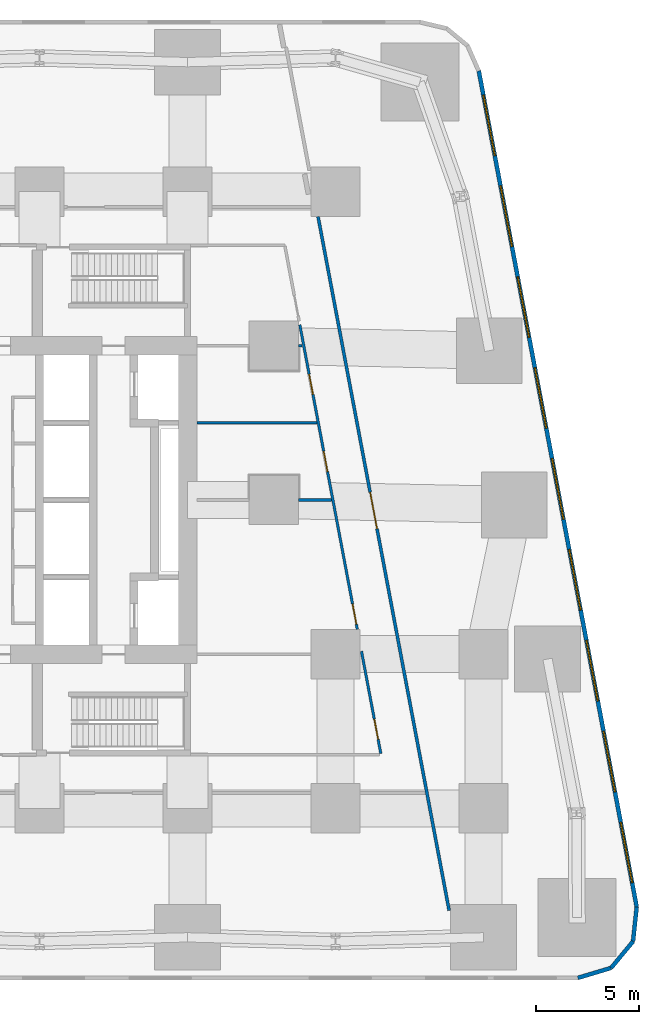
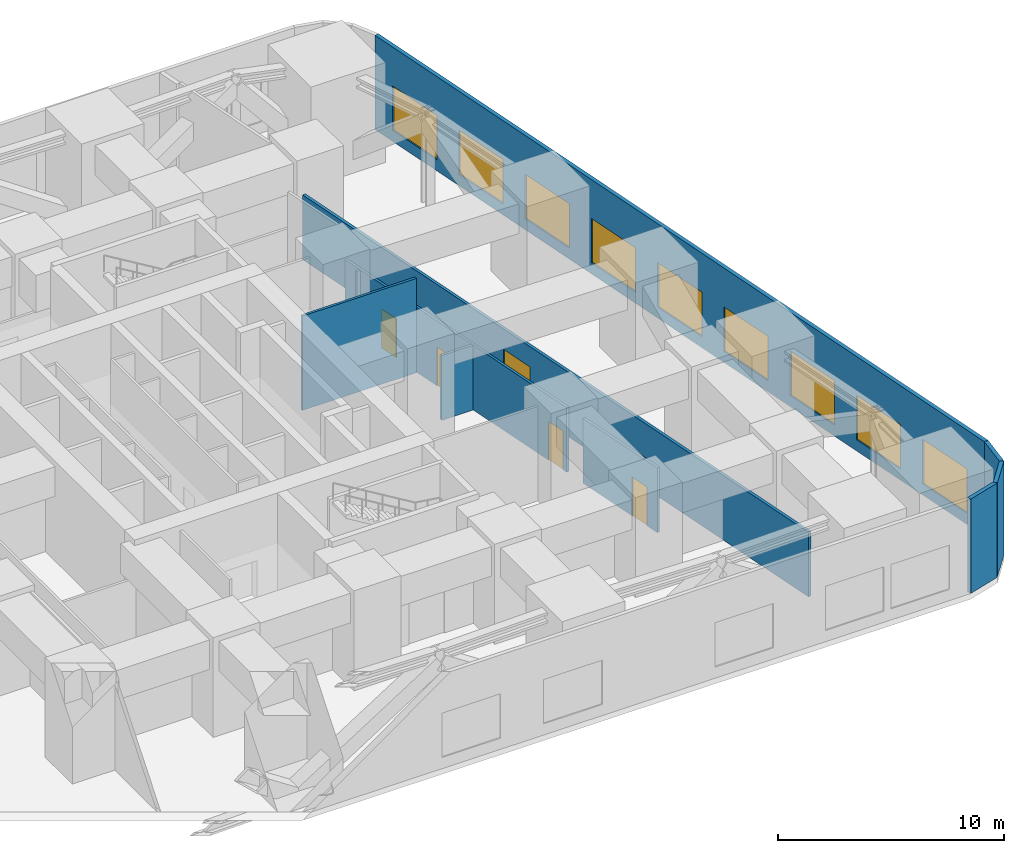
# One storey, part 5 of 8: 10 walls, 9 windows, 5 doors, 14 openings.
"""IFC4 building model written with IfcOpenShell, lengths in metres."""

from ifc_helpers import new_model, si_unit, direction, frame, frame_2d, origin, place, context, subcontext, project, spatial, rectangle, extrude, material, layer, layer_set, type_object, element, fill, save


model = new_model("IFC4")

# Units and contexts
model_context = context("Model", 3, precision=1e-05, world=origin(), true_north=direction((0.0, 1.0)))
body_context = subcontext(model_context, "Body", "Model", "MODEL_VIEW")
ifc_project = project(units=[si_unit("LENGTHUNIT", "METRE"), si_unit("AREAUNIT", "SQUARE_METRE"), si_unit("VOLUMEUNIT", "CUBIC_METRE"), si_unit("PLANEANGLEUNIT", "RADIAN"), si_unit("MASSUNIT", "GRAM", prefix="KILO")], contexts=[model_context])

# Site, building, storey
site_placement = place(None, origin())
site = spatial("IfcSite", under=ifc_project, at=site_placement, CompositionType="ELEMENT")
building_placement = place(site_placement, origin())
building = spatial("IfcBuilding", under=site, at=building_placement, Name="Sheger Commons Tower", CompositionType="ELEMENT")
storey_placement = place(building_placement, frame((0.0, 0.0, 14.60009765625)))
storey = spatial("IfcBuildingStorey", under=building, at=storey_placement, Name="L03", CompositionType="ELEMENT", Elevation=14.60009765625)

# Wall, opening, door
ifc_material_1 = material(Name="Hollow concrete block masonry, skimmed both sides", Category="masonry")
ifc_layer_1 = layer(ifc_material_1, 0.14990234375)
ifc_layer_set_1 = layer_set([ifc_layer_1], Name="CORRIDOR WALL 150")
wall_type_1 = type_object("IfcWallType", Name="CORRIDOR WALL 150", PredefinedType="SOLIDWALL", material=ifc_layer_set_1)
wall_1_placement = place(storey_placement, frame((35.14990234375, 36.284912109375, 0.0), z_axis=(0.0, 0.0, 1.0), x_axis=(0.185613484682, -0.982622834207, 0.0)))
wall_1 = element("IfcWall", 1, at=wall_1_placement, inside=storey, type_object=wall_type_1, Name="Corridor wall L03", PredefinedType="SOLIDWALL", context=body_context, shape_type="SweptSolid", body=[
    extrude(rectangle(XDim=34.350830078125, YDim=0.14990234375, at=frame_2d((17.17529296875, 0.0))), origin(), (0.0, 0.0, 1.0), 3.5),
])
opening_1_placement = place(wall_1_placement, frame((13.652099609375, 0.0, 0.0)))
opening_1 = element("IfcOpeningElement", 2, at=opening_1_placement, cuts=wall_1, Name="Opening D7", PredefinedType="OPENING", context=body_context, shape_type="SweptSolid", body=[
    extrude(rectangle(XDim=1.800048828125, YDim=2.39990234375, at=frame_2d((0.89990234375, 1.199951171875))), frame((0.0, 0.0849609375, 0.0), z_axis=(0.0, -1.0, 0.0), x_axis=(1.0, 0.0, 0.0)), (0.0, 0.0, 1.0), 0.169921875),
])
ifc_material_2 = material(Name="Steel door set, fire rated", Category="steel")
door_type_1 = type_object("IfcDoorType", Name="PLANT DOUBLE DOOR 1800x2400", OperationType="DOUBLE_DOOR_SINGLE_SWING", PredefinedType="DOOR", material=ifc_material_2)
door_1_placement = place(opening_1_placement, origin())
door_1 = element("IfcDoor", 3, at=door_1_placement, inside=storey, type_object=door_type_1, Name="Mechanical plant room door", OperationType="DOUBLE_DOOR_SINGLE_SWING", OverallHeight=2.39990234375, OverallWidth=1.800048828125, PredefinedType="DOOR", context=body_context, shape_type="SweptSolid", body=[
    extrude(rectangle(XDim=1.800048828125, YDim=2.39990234375, at=frame_2d((0.89990234375, 1.199951171875))), frame((0.0, 0.02490234375, 0.0), z_axis=(0.0, -1.0, 0.0), x_axis=(1.0, 0.0, 0.0)), (0.0, 0.0, 1.0), 0.050048828125),
])
fill(opening_1, door_1)

# Walls
ifc_material_3 = material(Name="Rendered concrete block masonry, dark grey", Category="masonry")
ifc_layer_2 = layer(ifc_material_3, 0.199951171875)
ifc_layer_set_2 = layer_set([ifc_layer_2], Name="FACADE WALL 200")
wall_type_2 = type_object("IfcWallType", Name="FACADE WALL 200", PredefinedType="SOLIDWALL", material=ifc_layer_set_2)
wall_2_placement = place(storey_placement, frame((47.791015625, -0.75, 0.0), z_axis=(0.0, 0.0, 1.0), x_axis=(0.957455232626, 0.288581838509, 0.0)))
element("IfcWall", 4, at=wall_2_placement, inside=storey, type_object=wall_type_2, Name="Facade wall L03", PredefinedType="SOLIDWALL", context=body_context, shape_type="SweptSolid", body=[
    extrude(rectangle(XDim=1.687744140625, YDim=0.199951171875, at=frame_2d((0.84375, 0.0))), origin(), (0.0, 0.0, 1.0), 5.099853515625),
])
wall_3_placement = place(storey_placement, frame((49.406982421875, -0.262939453125, 0.0), z_axis=(0.0, 0.0, 1.0), x_axis=(0.638042593423, 0.770001070764, 0.0)))
element("IfcWall", 5, at=wall_3_placement, inside=storey, type_object=wall_type_2, Name="Facade wall L03", PredefinedType="SOLIDWALL", context=body_context, shape_type="SweptSolid", body=[
    extrude(rectangle(XDim=1.672607421875, YDim=0.199951171875, at=frame_2d((0.83642578125, 0.0))), origin(), (0.0, 0.0, 1.0), 5.099853515625),
])
wall_4_placement = place(storey_placement, frame((50.47412109375, 1.02490234375, 0.0), z_axis=(0.0, 0.0, 1.0), x_axis=(0.106047815515, 0.994361031429, 0.0)))
element("IfcWall", 6, at=wall_4_placement, inside=storey, type_object=wall_type_2, Name="Facade wall L03", PredefinedType="SOLIDWALL", context=body_context, shape_type="SweptSolid", body=[
    extrude(rectangle(XDim=1.6875, YDim=0.199951171875, at=frame_2d((0.84375, 0.0))), origin(), (0.0, 0.0, 1.0), 5.099853515625),
])

# Wall, openings, windows
wall_5_placement = place(storey_placement, frame((50.653076171875, 2.702880859375, 0.0), z_axis=(0.0, 0.0, 1.0), x_axis=(-0.185612026696, 0.982623109613, 0.0)))
wall_5 = element("IfcWall", 7, at=wall_5_placement, inside=storey, type_object=wall_type_2, Name="Facade wall L03", PredefinedType="SOLIDWALL", context=body_context, shape_type="SweptSolid", body=[
    extrude(rectangle(XDim=41.393310546875, YDim=0.199951171875, at=frame_2d((20.69677734375, 0.0))), origin(), (0.0, 0.0, 1.0), 5.099853515625),
])
opening_2_placement = place(wall_5_placement, frame((1.197021484375, 0.0, 0.60009765625)))
opening_2 = element("IfcOpeningElement", 8, at=opening_2_placement, cuts=wall_5, Name="Opening LV1", PredefinedType="OPENING", context=body_context, shape_type="SweptSolid", body=[
    extrude(rectangle(XDim=3.0, YDim=2.39990234375, at=frame_2d((1.5, 1.199951171875))), frame((0.0, 0.10986328125, 0.0), z_axis=(0.0, -1.0, 0.0), x_axis=(1.0, 0.0, 0.0)), (0.0, 0.0, 1.0), 0.219970703125),
])
opening_3_placement = place(wall_5_placement, frame((5.697021484375, 0.0, 0.60009765625)))
opening_3 = element("IfcOpeningElement", 9, at=opening_3_placement, cuts=wall_5, Name="Opening LV1", PredefinedType="OPENING", context=body_context, shape_type="SweptSolid", body=[
    extrude(rectangle(XDim=3.0, YDim=2.39990234375, at=frame_2d((1.5, 1.199951171875))), frame((0.0, 0.10986328125, 0.0), z_axis=(0.0, -1.0, 0.0), x_axis=(1.0, 0.0, 0.0)), (0.0, 0.0, 1.0), 0.219970703125),
])
opening_4_placement = place(wall_5_placement, frame((10.197021484375, 0.0, 0.60009765625)))
opening_4 = element("IfcOpeningElement", 10, at=opening_4_placement, cuts=wall_5, Name="Opening LV1", PredefinedType="OPENING", context=body_context, shape_type="SweptSolid", body=[
    extrude(rectangle(XDim=3.0, YDim=2.39990234375, at=frame_2d((1.5, 1.199951171875))), frame((0.0, 0.10986328125, 0.0), z_axis=(0.0, -1.0, 0.0), x_axis=(1.0, 0.0, 0.0)), (0.0, 0.0, 1.0), 0.219970703125),
])
opening_5_placement = place(wall_5_placement, frame((14.697021484375, 0.0, 0.60009765625)))
opening_5 = element("IfcOpeningElement", 11, at=opening_5_placement, cuts=wall_5, Name="Opening LV1", PredefinedType="OPENING", context=body_context, shape_type="SweptSolid", body=[
    extrude(rectangle(XDim=3.0, YDim=2.39990234375, at=frame_2d((1.5, 1.199951171875))), frame((0.0, 0.10986328125, 0.0), z_axis=(0.0, -1.0, 0.0), x_axis=(1.0, 0.0, 0.0)), (0.0, 0.0, 1.0), 0.219970703125),
])
opening_6_placement = place(wall_5_placement, frame((19.197021484375, 0.0, 0.60009765625)))
opening_6 = element("IfcOpeningElement", 12, at=opening_6_placement, cuts=wall_5, Name="Opening LV1", PredefinedType="OPENING", context=body_context, shape_type="SweptSolid", body=[
    extrude(rectangle(XDim=3.0, YDim=2.39990234375, at=frame_2d((1.5, 1.199951171875))), frame((0.0, 0.10986328125, 0.0), z_axis=(0.0, -1.0, 0.0), x_axis=(1.0, 0.0, 0.0)), (0.0, 0.0, 1.0), 0.219970703125),
])
opening_7_placement = place(wall_5_placement, frame((23.697021484375, 0.0, 0.60009765625)))
opening_7 = element("IfcOpeningElement", 13, at=opening_7_placement, cuts=wall_5, Name="Opening LV1", PredefinedType="OPENING", context=body_context, shape_type="SweptSolid", body=[
    extrude(rectangle(XDim=3.0, YDim=2.39990234375, at=frame_2d((1.5, 1.199951171875))), frame((0.0, 0.10986328125, 0.0), z_axis=(0.0, -1.0, 0.0), x_axis=(1.0, 0.0, 0.0)), (0.0, 0.0, 1.0), 0.219970703125),
])
opening_8_placement = place(wall_5_placement, frame((28.197021484375, 0.0, 0.60009765625)))
opening_8 = element("IfcOpeningElement", 14, at=opening_8_placement, cuts=wall_5, Name="Opening LV1", PredefinedType="OPENING", context=body_context, shape_type="SweptSolid", body=[
    extrude(rectangle(XDim=3.0, YDim=2.39990234375, at=frame_2d((1.5, 1.199951171875))), frame((0.0, 0.10986328125, 0.0), z_axis=(0.0, -1.0, 0.0), x_axis=(1.0, 0.0, 0.0)), (0.0, 0.0, 1.0), 0.219970703125),
])
opening_9_placement = place(wall_5_placement, frame((32.697021484375, 0.0, 0.60009765625)))
opening_9 = element("IfcOpeningElement", 15, at=opening_9_placement, cuts=wall_5, Name="Opening LV1", PredefinedType="OPENING", context=body_context, shape_type="SweptSolid", body=[
    extrude(rectangle(XDim=3.0, YDim=2.39990234375, at=frame_2d((1.5, 1.199951171875))), frame((0.0, 0.10986328125, 0.0), z_axis=(0.0, -1.0, 0.0), x_axis=(1.0, 0.0, 0.0)), (0.0, 0.0, 1.0), 0.219970703125),
])
opening_10_placement = place(wall_5_placement, frame((37.197021484375, 0.0, 0.60009765625)))
opening_10 = element("IfcOpeningElement", 16, at=opening_10_placement, cuts=wall_5, Name="Opening LV1", PredefinedType="OPENING", context=body_context, shape_type="SweptSolid", body=[
    extrude(rectangle(XDim=3.0, YDim=2.39990234375, at=frame_2d((1.5, 1.199951171875))), frame((0.0, 0.10986328125, 0.0), z_axis=(0.0, -1.0, 0.0), x_axis=(1.0, 0.0, 0.0)), (0.0, 0.0, 1.0), 0.219970703125),
])
ifc_material_4 = material(Name="Black aluminium louvre", Category="aluminium")
window_type = type_object("IfcWindowType", Name="LOUVRE LV1 3000x2400", PartitioningType="SINGLE_PANEL", PredefinedType="USERDEFINED", material=ifc_material_4)
window_1_placement = place(opening_2_placement, origin())
window_1 = element("IfcWindow", 17, at=window_1_placement, inside=storey, type_object=window_type, Name="Louvre Lv1 3000X2400", ObjectType="LOUVRE", OverallHeight=2.39990234375, OverallWidth=3.0, PartitioningType="SINGLE_PANEL", PredefinedType="USERDEFINED", context=body_context, shape_type="SweptSolid", body=[
    extrude(rectangle(XDim=3.0, YDim=2.39990234375, at=frame_2d((1.5, 1.199951171875))), frame((0.0, 0.030029296875, 0.0), z_axis=(0.0, -1.0, 0.0), x_axis=(1.0, 0.0, 0.0)), (0.0, 0.0, 1.0), 0.06005859375),
])
fill(opening_2, window_1)
window_2_placement = place(opening_3_placement, origin())
window_2 = element("IfcWindow", 18, at=window_2_placement, inside=storey, type_object=window_type, Name="Louvre Lv1 3000X2400", ObjectType="LOUVRE", OverallHeight=2.39990234375, OverallWidth=3.0, PartitioningType="SINGLE_PANEL", PredefinedType="USERDEFINED", context=body_context, shape_type="SweptSolid", body=[
    extrude(rectangle(XDim=3.0, YDim=2.39990234375, at=frame_2d((1.5, 1.199951171875))), frame((0.0, 0.030029296875, 0.0), z_axis=(0.0, -1.0, 0.0), x_axis=(1.0, 0.0, 0.0)), (0.0, 0.0, 1.0), 0.06005859375),
])
fill(opening_3, window_2)
window_3_placement = place(opening_4_placement, origin())
window_3 = element("IfcWindow", 19, at=window_3_placement, inside=storey, type_object=window_type, Name="Louvre Lv1 3000X2400", ObjectType="LOUVRE", OverallHeight=2.39990234375, OverallWidth=3.0, PartitioningType="SINGLE_PANEL", PredefinedType="USERDEFINED", context=body_context, shape_type="SweptSolid", body=[
    extrude(rectangle(XDim=3.0, YDim=2.39990234375, at=frame_2d((1.5, 1.199951171875))), frame((0.0, 0.030029296875, 0.0), z_axis=(0.0, -1.0, 0.0), x_axis=(1.0, 0.0, 0.0)), (0.0, 0.0, 1.0), 0.06005859375),
])
fill(opening_4, window_3)
window_4_placement = place(opening_5_placement, origin())
window_4 = element("IfcWindow", 20, at=window_4_placement, inside=storey, type_object=window_type, Name="Louvre Lv1 3000X2400", ObjectType="LOUVRE", OverallHeight=2.39990234375, OverallWidth=3.0, PartitioningType="SINGLE_PANEL", PredefinedType="USERDEFINED", context=body_context, shape_type="SweptSolid", body=[
    extrude(rectangle(XDim=3.0, YDim=2.39990234375, at=frame_2d((1.5, 1.199951171875))), frame((0.0, 0.030029296875, 0.0), z_axis=(0.0, -1.0, 0.0), x_axis=(1.0, 0.0, 0.0)), (0.0, 0.0, 1.0), 0.06005859375),
])
fill(opening_5, window_4)
window_5_placement = place(opening_6_placement, origin())
window_5 = element("IfcWindow", 21, at=window_5_placement, inside=storey, type_object=window_type, Name="Louvre Lv1 3000X2400", ObjectType="LOUVRE", OverallHeight=2.39990234375, OverallWidth=3.0, PartitioningType="SINGLE_PANEL", PredefinedType="USERDEFINED", context=body_context, shape_type="SweptSolid", body=[
    extrude(rectangle(XDim=3.0, YDim=2.39990234375, at=frame_2d((1.5, 1.199951171875))), frame((0.0, 0.030029296875, 0.0), z_axis=(0.0, -1.0, 0.0), x_axis=(1.0, 0.0, 0.0)), (0.0, 0.0, 1.0), 0.06005859375),
])
fill(opening_6, window_5)
window_6_placement = place(opening_7_placement, origin())
window_6 = element("IfcWindow", 22, at=window_6_placement, inside=storey, type_object=window_type, Name="Louvre Lv1 3000X2400", ObjectType="LOUVRE", OverallHeight=2.39990234375, OverallWidth=3.0, PartitioningType="SINGLE_PANEL", PredefinedType="USERDEFINED", context=body_context, shape_type="SweptSolid", body=[
    extrude(rectangle(XDim=3.0, YDim=2.39990234375, at=frame_2d((1.5, 1.199951171875))), frame((0.0, 0.030029296875, 0.0), z_axis=(0.0, -1.0, 0.0), x_axis=(1.0, 0.0, 0.0)), (0.0, 0.0, 1.0), 0.06005859375),
])
fill(opening_7, window_6)
window_7_placement = place(opening_8_placement, origin())
window_7 = element("IfcWindow", 23, at=window_7_placement, inside=storey, type_object=window_type, Name="Louvre Lv1 3000X2400", ObjectType="LOUVRE", OverallHeight=2.39990234375, OverallWidth=3.0, PartitioningType="SINGLE_PANEL", PredefinedType="USERDEFINED", context=body_context, shape_type="SweptSolid", body=[
    extrude(rectangle(XDim=3.0, YDim=2.39990234375, at=frame_2d((1.5, 1.199951171875))), frame((0.0, 0.030029296875, 0.0), z_axis=(0.0, -1.0, 0.0), x_axis=(1.0, 0.0, 0.0)), (0.0, 0.0, 1.0), 0.06005859375),
])
fill(opening_8, window_7)
window_8_placement = place(opening_9_placement, origin())
window_8 = element("IfcWindow", 24, at=window_8_placement, inside=storey, type_object=window_type, Name="Louvre Lv1 3000X2400", ObjectType="LOUVRE", OverallHeight=2.39990234375, OverallWidth=3.0, PartitioningType="SINGLE_PANEL", PredefinedType="USERDEFINED", context=body_context, shape_type="SweptSolid", body=[
    extrude(rectangle(XDim=3.0, YDim=2.39990234375, at=frame_2d((1.5, 1.199951171875))), frame((0.0, 0.030029296875, 0.0), z_axis=(0.0, -1.0, 0.0), x_axis=(1.0, 0.0, 0.0)), (0.0, 0.0, 1.0), 0.06005859375),
])
fill(opening_9, window_8)
window_9_placement = place(opening_10_placement, origin())
window_9 = element("IfcWindow", 25, at=window_9_placement, inside=storey, type_object=window_type, Name="Louvre Lv1 3000X2400", ObjectType="LOUVRE", OverallHeight=2.39990234375, OverallWidth=3.0, PartitioningType="SINGLE_PANEL", PredefinedType="USERDEFINED", context=body_context, shape_type="SweptSolid", body=[
    extrude(rectangle(XDim=3.0, YDim=2.39990234375, at=frame_2d((1.5, 1.199951171875))), frame((0.0, 0.030029296875, 0.0), z_axis=(0.0, -1.0, 0.0), x_axis=(1.0, 0.0, 0.0)), (0.0, 0.0, 1.0), 0.06005859375),
])
fill(opening_10, window_9)

# Wall, opening, door
ifc_material_5 = material(Name="Gypsum board on steel studs, two layers each side, fire rated", Category="steel")
ifc_layer_3 = layer(ifc_material_5, 0.125)
ifc_layer_set_3 = layer_set([ifc_layer_3], Name="SERVICE WALL 125")
wall_type_3 = type_object("IfcWallType", Name="SERVICE WALL 125", PredefinedType="PARTITIONING", material=ifc_layer_set_3)
wall_6_placement = place(storey_placement, frame((38.201904296875, 10.1630859375, 0.0), z_axis=(0.0, 0.0, 1.0), x_axis=(-0.185539561605, 0.982636795097, 0.0)))
wall_6 = element("IfcWall", 26, at=wall_6_placement, inside=storey, type_object=wall_type_3, Name="Service room wall L03", PredefinedType="PARTITIONING", context=body_context, shape_type="SweptSolid", body=[
    extrude(rectangle(XDim=5.06591796875, YDim=0.125, at=frame_2d((2.532958984375, 0.0))), origin(), (0.0, 0.0, 1.0), 3.5),
])
opening_11_placement = place(wall_6_placement, frame((0.7080078125, 0.0, 0.0)))
opening_11 = element("IfcOpeningElement", 27, at=opening_11_placement, cuts=wall_6, Name="Opening D4", PredefinedType="OPENING", context=body_context, shape_type="SweptSolid", body=[
    extrude(rectangle(XDim=1.0, YDim=2.10009765625, at=frame_2d((0.5, 1.050048828125))), frame((0.0, 0.072509765625, 0.0), z_axis=(0.0, -1.0, 0.0), x_axis=(1.0, 0.0, 0.0)), (0.0, 0.0, 1.0), 0.14501953125),
])
ifc_material_6 = material(Name="Steel door set, fire rated", Category="steel")
door_type_2 = type_object("IfcDoorType", Name="SERVICE DOOR 1000x2100", OperationType="NOTDEFINED", PredefinedType="DOOR", material=ifc_material_6)
door_2_placement = place(opening_11_placement, origin())
door_2 = element("IfcDoor", 28, at=door_2_placement, inside=storey, type_object=door_type_2, Name="Maintenance workshop door", OperationType="SINGLE_SWING_LEFT", OverallHeight=2.10009765625, OverallWidth=1.0, PredefinedType="DOOR", context=body_context, shape_type="SweptSolid", body=[
    extrude(rectangle(XDim=1.0, YDim=2.10009765625, at=frame_2d((0.5, 1.050048828125))), frame((0.0, 0.02490234375, 0.0), z_axis=(0.0, -1.0, 0.0), x_axis=(1.0, 0.0, 0.0)), (0.0, 0.0, 1.0), 0.050048828125),
])
fill(opening_11, door_2)

# Wall, openings, doors
wall_7_placement = place(storey_placement, frame((37.05908203125, 16.212890625, 0.0), z_axis=(0.0, 0.0, 1.0), x_axis=(-0.185585225745, 0.982628171785, 0.0)))
wall_7 = element("IfcWall", 29, at=wall_7_placement, inside=storey, type_object=wall_type_3, Name="Service room wall L03", PredefinedType="PARTITIONING", context=body_context, shape_type="SweptSolid", body=[
    extrude(rectangle(XDim=15.07177734375, YDim=0.125, at=frame_2d((7.535888671875, 0.0))), origin(), (0.0, 0.0, 1.0), 3.5),
])
opening_12_placement = place(wall_7_placement, frame((0.25, 0.0, 0.0)))
opening_12 = element("IfcOpeningElement", 30, at=opening_12_placement, cuts=wall_7, Name="Opening D4", PredefinedType="OPENING", context=body_context, shape_type="SweptSolid", body=[
    extrude(rectangle(XDim=1.0, YDim=2.10009765625, at=frame_2d((0.5, 1.050048828125))), frame((0.0, 0.072509765625, 0.0), z_axis=(0.0, -1.0, 0.0), x_axis=(1.0, 0.0, 0.0)), (0.0, 0.0, 1.0), 0.14501953125),
])
opening_13_placement = place(wall_7_placement, frame((7.805908203125, 0.0, 0.0)))
opening_13 = element("IfcOpeningElement", 31, at=opening_13_placement, cuts=wall_7, Name="Opening D4", PredefinedType="OPENING", context=body_context, shape_type="SweptSolid", body=[
    extrude(rectangle(XDim=1.0, YDim=2.10009765625, at=frame_2d((0.5, 1.050048828125))), frame((0.0, 0.072509765625, 0.0), z_axis=(0.0, -1.0, 0.0), x_axis=(1.0, 0.0, 0.0)), (0.0, 0.0, 1.0), 0.14501953125),
])
opening_14_placement = place(wall_7_placement, frame((11.623046875, 0.0, 0.0)))
opening_14 = element("IfcOpeningElement", 32, at=opening_14_placement, cuts=wall_7, Name="Opening D4", PredefinedType="OPENING", context=body_context, shape_type="SweptSolid", body=[
    extrude(rectangle(XDim=1.0, YDim=2.10009765625, at=frame_2d((0.5, 1.050048828125))), frame((0.0, 0.072509765625, 0.0), z_axis=(0.0, -1.0, 0.0), x_axis=(1.0, 0.0, 0.0)), (0.0, 0.0, 1.0), 0.14501953125),
])
door_3_placement = place(opening_12_placement, origin())
door_3 = element("IfcDoor", 33, at=door_3_placement, inside=storey, type_object=door_type_2, Name="Plant room door", OperationType="SINGLE_SWING_LEFT", OverallHeight=2.10009765625, OverallWidth=1.0, PredefinedType="DOOR", context=body_context, shape_type="SweptSolid", body=[
    extrude(rectangle(XDim=1.0, YDim=2.10009765625, at=frame_2d((0.5, 1.050048828125))), frame((0.0, 0.02490234375, 0.0), z_axis=(0.0, -1.0, 0.0), x_axis=(1.0, 0.0, 0.0)), (0.0, 0.0, 1.0), 0.050048828125),
])
fill(opening_12, door_3)
door_4_placement = place(opening_13_placement, origin())
door_4 = element("IfcDoor", 34, at=door_4_placement, inside=storey, type_object=door_type_2, Name="Staff WC door", OperationType="SINGLE_SWING_LEFT", OverallHeight=2.10009765625, OverallWidth=1.0, PredefinedType="DOOR", context=body_context, shape_type="SweptSolid", body=[
    extrude(rectangle(XDim=1.0, YDim=2.10009765625, at=frame_2d((0.5, 1.050048828125))), frame((0.0, 0.02490234375, 0.0), z_axis=(0.0, -1.0, 0.0), x_axis=(1.0, 0.0, 0.0)), (0.0, 0.0, 1.0), 0.050048828125),
])
fill(opening_13, door_4)
door_5_placement = place(opening_14_placement, origin())
door_5 = element("IfcDoor", 35, at=door_5_placement, inside=storey, type_object=door_type_2, Name="Accessible WC door", OperationType="SINGLE_SWING_RIGHT", OverallHeight=2.10009765625, OverallWidth=1.0, PredefinedType="DOOR", context=body_context, shape_type="SweptSolid", body=[
    extrude(rectangle(XDim=1.0, YDim=2.10009765625, at=frame_2d((0.5, 1.050048828125))), frame((0.0, 0.02490234375, 0.0), z_axis=(0.0, -1.0, 0.0), x_axis=(1.0, 0.0, 0.0)), (0.0, 0.0, 1.0), 0.050048828125),
])
fill(opening_14, door_5)

# Walls
wall_8_placement = place(storey_placement, frame((34.200927734375, 22.5, 0.0), z_axis=(0.0, 0.0, 1.0), x_axis=(1.0, 0.0, 0.0)))
element("IfcWall", 36, at=wall_8_placement, inside=storey, type_object=wall_type_3, Name="Service room wall L03", PredefinedType="PARTITIONING", context=body_context, shape_type="SweptSolid", body=[
    extrude(rectangle(XDim=1.594970703125, YDim=0.125, at=frame_2d((0.79736328125, 0.0))), origin(), (0.0, 0.0, 1.0), 3.5),
])
wall_9_placement = place(storey_placement, frame((34.200927734375, 30.0, 0.0), z_axis=(0.0, 0.0, 1.0), x_axis=(1.0, 0.0, 0.0)))
element("IfcWall", 37, at=wall_9_placement, inside=storey, type_object=wall_type_3, Name="Service room wall L03", PredefinedType="PARTITIONING", context=body_context, shape_type="SweptSolid", body=[
    extrude(rectangle(XDim=0.177978515625, YDim=0.125, at=frame_2d((0.0888671875, 0.0))), origin(), (0.0, 0.0, 1.0), 3.5),
])
wall_10_placement = place(storey_placement, frame((29.25, 26.25, 0.0), z_axis=(0.0, 0.0, 1.0), x_axis=(1.0, 0.0, 0.0)))
element("IfcWall", 38, at=wall_10_placement, inside=storey, type_object=wall_type_3, Name="Service room wall L03", PredefinedType="PARTITIONING", context=body_context, shape_type="SweptSolid", body=[
    extrude(rectangle(XDim=5.837890625, YDim=0.125, at=frame_2d((2.9189453125, 0.0))), origin(), (0.0, 0.0, 1.0), 5.099853515625),
])

save(model, "model.ifc")
